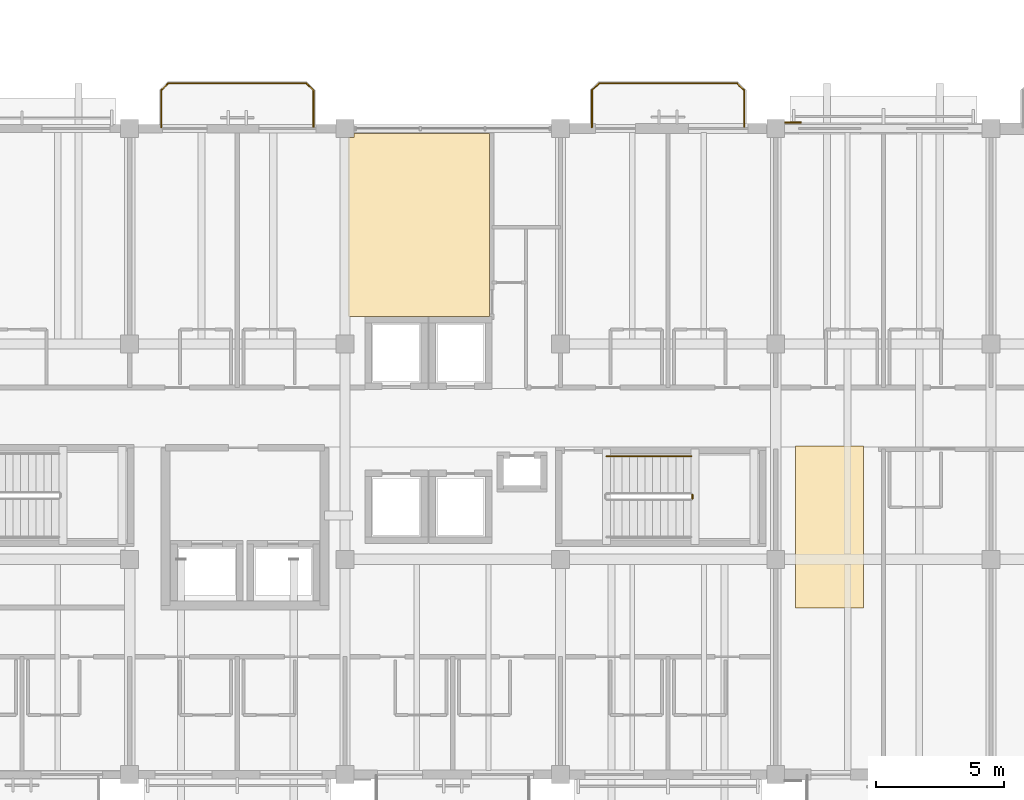
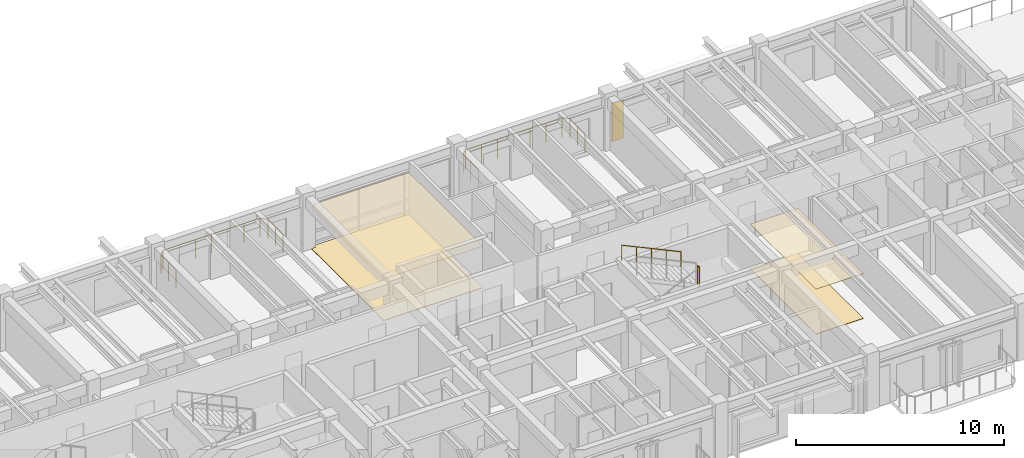
# One storey, part 92 of 93: 5 coverings, 4 railings.
"""IFC4 building model written with IfcOpenShell, lengths in metres."""

from ifc_helpers import new_model, si_unit, direction, frame, origin, origin_2d, place, context, subcontext, project, spatial, polyline, circle, outline, extrude, material, layer, layer_set, type_object, element, save


model = new_model("IFC4")

# Units and contexts
model_context = context("Model", 3, precision=1e-05, world=origin(), true_north=direction((0.0, 1.0)))
body_context = subcontext(model_context, "Body", "Model", "MODEL_VIEW")
ifc_project = project(units=[si_unit("LENGTHUNIT", "METRE"), si_unit("AREAUNIT", "SQUARE_METRE"), si_unit("VOLUMEUNIT", "CUBIC_METRE"), si_unit("PLANEANGLEUNIT", "RADIAN"), si_unit("MASSUNIT", "GRAM", prefix="KILO")], contexts=[model_context])

# Site, building, storey
site_placement = place(None, origin())
site = spatial("IfcSite", under=ifc_project, at=site_placement, CompositionType="ELEMENT")
building_placement = place(site_placement, origin())
building = spatial("IfcBuilding", under=site, at=building_placement, Name="Cumbredor Promenade Congress Hotel", CompositionType="ELEMENT")
storey_placement = place(building_placement, frame((0.0, 0.0, 21.840087890625)))
storey = spatial("IfcBuildingStorey", under=building, at=storey_placement, Name="L06", CompositionType="ELEMENT", Elevation=21.840087890625)

# Coverings
ifc_material_1 = material(Name="Acoustic mineral-fiber and gypsum ceiling")
ifc_layer_1 = layer(ifc_material_1, 0.02197265625, Name="Acoustic mineral-fiber and gypsum ceiling")
ifc_layer_set_1 = layer_set([ifc_layer_1], Name="Acoustic mineral-fiber and gypsum ceiling")
covering_type_1 = type_object("IfcCoveringType", Name="Acoustic Perforated Gypsum Ceiling CLG-02 22mm", PredefinedType="CEILING", material=ifc_layer_set_1)
covering_1_placement = place(storey_placement, frame((0.0, 0.0, 2.448974609375)))
element("IfcCovering", 1, at=covering_1_placement, inside=storey, type_object=covering_type_1, Name="L06 Cordillera Reading Salon Acoustic Ceiling", PredefinedType="CEILING", context=body_context, shape_type="SweptSolid", body=[
    extrude(outline(polyline([(39.239990234375, 117.4150390625), (39.239990234375, 110.280029296875), (33.72998046875, 110.280029296875), (33.72998046875, 117.2451171875), (33.955078125, 117.2451171875), (33.955078125, 117.4150390625), (39.239990234375, 117.4150390625)])), origin(), (0.0, 0.0, 1.0), 0.02197265625),
])
ifc_layer_2 = layer(ifc_material_1, 0.028076171875, Name="Acoustic mineral-fiber and gypsum ceiling")
ifc_layer_set_2 = layer_set([ifc_layer_2], Name="Acoustic mineral-fiber and gypsum ceiling")
covering_type_2 = type_object("IfcCoveringType", Name="Acoustic Perforated Gypsum Ceiling CLG-03 28mm", PredefinedType="CEILING", material=ifc_layer_set_2)
covering_2_placement = place(storey_placement, frame((0.0, 0.0, 2.6298828125)))
element("IfcCovering", 2, at=covering_2_placement, inside=storey, type_object=covering_type_2, Name="L06 East Corridor Connector Acoustic Ceiling", PredefinedType="CEILING", context=body_context, shape_type="SweptSolid", body=[
    extrude(outline(polyline([(53.820068359375, 98.89990234375), (53.820068359375, 105.219970703125), (51.179931640625, 105.219970703125), (51.179931640625, 98.89990234375), (53.820068359375, 98.89990234375)])), origin(), (0.0, 0.0, 1.0), 0.028076171875),
])
ifc_material_2 = material(Name="Precast concrete C40/50", Category="concrete")
ifc_layer_3 = layer(ifc_material_2, 0.044921875, Name="Precast concrete C40/50", Category="concrete")
ifc_layer_set_3 = layer_set([ifc_layer_3], Name="Precast concrete C40/50")
covering_type_3 = type_object("IfcCoveringType", Name="Board-Formed Architectural Cladding Panel 45mm", PredefinedType="CLADDING", material=ifc_layer_set_3)
covering_3_placement = place(storey_placement, origin())
element("IfcCovering", 3, at=covering_3_placement, inside=storey, type_object=covering_type_3, Name="L06 Facade Stone Cladding Pier 216", PredefinedType="CLADDING", context=body_context, shape_type="SweptSolid", body=[
    extrude(outline(polyline([(50.7509765625, 117.8125), (51.40087890625, 117.8125), (51.40087890625, 117.857421875), (50.7509765625, 117.857421875), (50.7509765625, 117.8125)])), origin(), (0.0, 0.0, 1.0), 2.25),
])

# Railing
ifc_material_3 = material(Name="Brushed stainless steel", Category="steel")
railing_type_1 = type_object("IfcRailingType", Name="Interior Void & Stair Guardrail GR-1100", PredefinedType="GUARDRAIL", material=ifc_material_3)
railing_1_placement = place(storey_placement, frame((47.14990234375, 103.169921875, 1.679931640625)))
element("IfcRailing", 4, at=railing_1_placement, inside=storey, type_object=railing_type_1, Name="L06 ST-03 stair guard 2", PredefinedType="GUARDRAIL", context=body_context, shape_type="SweptSolid", body=[
    extrude(circle(Radius=0.02392578125, at=origin_2d()), frame((0.0, 0.0, 1.09619140625), z_axis=(0.0, 1.0, 0.0), x_axis=(-1.0, 0.0, 0.0)), (0.0, 0.0, 1.0), 0.150146484375),
    extrude(circle(Radius=0.02099609375, at=origin_2d()), origin(), (0.0, 0.0, 1.0), 1.072021484375),
    extrude(circle(Radius=0.02099609375, at=origin_2d()), frame((0.0, 0.150146484375, 0.0)), (0.0, 0.0, 1.0), 1.072021484375),
])

# Coverings
ifc_material_4 = material(Name="Porcelain stoneware tile", Category="masonry")
ifc_layer_4 = layer(ifc_material_4, 0.02001953125, Name="Porcelain stoneware tile", Category="masonry")
ifc_layer_set_4 = layer_set([ifc_layer_4], Name="Porcelain stoneware tile")
covering_type_4 = type_object("IfcCoveringType", Name="Porcelain Stoneware Flooring FLR-01 20mm", PredefinedType="FLOORING", material=ifc_layer_set_4)
covering_4_placement = place(storey_placement, origin())
element("IfcCovering", 5, at=covering_4_placement, inside=storey, type_object=covering_type_4, Name="L06 East Corridor Connector Porcelain Flooring", PredefinedType="FLOORING", context=body_context, shape_type="SweptSolid", body=[
    extrude(outline(polyline([(53.820068359375, 98.89990234375), (53.820068359375, 105.219970703125), (51.179931640625, 105.219970703125), (51.179931640625, 98.89990234375), (53.820068359375, 98.89990234375)])), origin(), (0.0, 0.0, 1.0), 0.02001953125),
])
ifc_layer_5 = layer(ifc_material_4, 0.030029296875, Name="Porcelain stoneware tile", Category="masonry")
ifc_layer_set_5 = layer_set([ifc_layer_5], Name="Porcelain stoneware tile")
covering_type_5 = type_object("IfcCoveringType", Name="Porcelain Stoneware Flooring FLR-03 30mm", PredefinedType="FLOORING", material=ifc_layer_set_5)
covering_5_placement = place(storey_placement, origin())
element("IfcCovering", 6, at=covering_5_placement, inside=storey, type_object=covering_type_5, Name="L06 Cordillera Reading Salon Porcelain Flooring", PredefinedType="FLOORING", context=body_context, shape_type="SweptSolid", body=[
    extrude(outline(polyline([(39.239990234375, 117.4150390625), (39.239990234375, 110.280029296875), (33.72998046875, 110.280029296875), (33.72998046875, 117.2451171875), (33.955078125, 117.2451171875), (33.955078125, 117.4150390625), (39.239990234375, 117.4150390625)])), origin(), (0.0, 0.0, 1.0), 0.030029296875),
])

# Railings
railing_type_2 = type_object("IfcRailingType", Name="Sky Garden Glass-and-Steel Balustrade BAL-1150", PredefinedType="BALUSTRADE", material=ifc_material_3)
railing_2_placement = place(storey_placement, frame((43.22998046875, 117.64990234375, 0.0)))
element("IfcRailing", 7, at=railing_2_placement, inside=storey, type_object=railing_type_2, Name="L06 Veranda Balcony Balustrade 036", PredefinedType="BALUSTRADE", context=body_context, shape_type="SweptSolid", body=[
    extrude(circle(Radius=0.02392578125, at=origin_2d()), frame((0.0, 0.0, 1.1259765625), z_axis=(0.0, 1.0, 0.0), x_axis=(-1.0, 0.0, 0.0)), (0.0, 0.0, 1.0), 1.440185546875),
    extrude(circle(Radius=0.02392578125, at=origin_2d()), frame((0.0, 1.440185546875, 1.1259765625), z_axis=(0.707106781187, 0.707106781187, 0.0), x_axis=(-0.707106781187, 0.707106781187, 0.0)), (0.0, 0.0, 1.0), 0.39599609375),
    extrude(circle(Radius=0.02392578125, at=origin_2d()), frame((0.280029296875, 1.72021484375, 1.1259765625), z_axis=(1.0, 0.0, 0.0), x_axis=(0.0, 1.0, 0.0)), (0.0, 0.0, 1.0), 5.3798828125),
    extrude(circle(Radius=0.02392578125, at=origin_2d()), frame((5.659912109375, 1.72021484375, 1.1259765625), z_axis=(0.707106781187, -0.707106781187, 0.0), x_axis=(0.707106781187, 0.707106781187, 0.0)), (0.0, 0.0, 1.0), 0.39599609375),
    extrude(circle(Radius=0.02392578125, at=origin_2d()), frame((5.93994140625, 1.440185546875, 1.1259765625), z_axis=(0.0, -1.0, 0.0), x_axis=(1.0, 0.0, 0.0)), (0.0, 0.0, 1.0), 1.440185546875),
    extrude(circle(Radius=0.02099609375, at=origin_2d()), origin(), (0.0, 0.0, 1.0), 1.101806640625),
    extrude(circle(Radius=0.02099609375, at=origin_2d()), frame((0.0, 0.72021484375, 0.0)), (0.0, 0.0, 1.0), 1.101806640625),
    extrude(circle(Radius=0.02099609375, at=origin_2d()), frame((0.0, 1.440185546875, 0.0)), (0.0, 0.0, 1.0), 1.101806640625),
    extrude(circle(Radius=0.02099609375, at=origin_2d()), frame((0.280029296875, 1.72021484375, 0.0)), (0.0, 0.0, 1.0), 1.101806640625),
    extrude(circle(Radius=0.02099609375, at=origin_2d()), frame((1.1767578125, 1.72021484375, 0.0)), (0.0, 0.0, 1.0), 1.101806640625),
    extrude(circle(Radius=0.02099609375, at=origin_2d()), frame((2.0732421875, 1.72021484375, 0.0)), (0.0, 0.0, 1.0), 1.101806640625),
    extrude(circle(Radius=0.02099609375, at=origin_2d()), frame((2.969970703125, 1.72021484375, 0.0)), (0.0, 0.0, 1.0), 1.101806640625),
    extrude(circle(Radius=0.02099609375, at=origin_2d()), frame((3.86669921875, 1.72021484375, 0.0)), (0.0, 0.0, 1.0), 1.101806640625),
    extrude(circle(Radius=0.02099609375, at=origin_2d()), frame((4.76318359375, 1.72021484375, 0.0)), (0.0, 0.0, 1.0), 1.101806640625),
    extrude(circle(Radius=0.02099609375, at=origin_2d()), frame((5.659912109375, 1.72021484375, 0.0)), (0.0, 0.0, 1.0), 1.101806640625),
    extrude(circle(Radius=0.02099609375, at=origin_2d()), frame((5.93994140625, 1.440185546875, 0.0)), (0.0, 0.0, 1.0), 1.101806640625),
    extrude(circle(Radius=0.02099609375, at=origin_2d()), frame((5.93994140625, 0.72021484375, 0.0)), (0.0, 0.0, 1.0), 1.101806640625),
    extrude(circle(Radius=0.02099609375, at=origin_2d()), frame((5.93994140625, 0.0, 0.0)), (0.0, 0.0, 1.0), 1.101806640625),
])
railing_type_3 = type_object("IfcRailingType", Name="Stair Pitch Handrail HR-900", PredefinedType="HANDRAIL", material=ifc_material_3)
railing_3_placement = place(storey_placement, frame((47.10009765625, 104.820068359375, 1.81982421875)))
element("IfcRailing", 8, at=railing_3_placement, inside=storey, type_object=railing_type_3, Name="L06 ST-03 stair handrail 2", PredefinedType="HANDRAIL", context=body_context, shape_type="SweptSolid", body=[
    extrude(circle(Radius=0.02392578125, at=origin_2d()), frame((0.0, 0.0, 0.8759765625), z_axis=(-0.906181427284, 0.0, 0.422889135408), x_axis=(0.0, -1.0, 0.0)), (0.0, 0.0, 1.0), 3.6416015625),
    extrude(circle(Radius=0.02099609375, at=origin_2d()), origin(), (0.0, 0.0, 1.0), 0.851806640625),
    extrude(circle(Radius=0.02099609375, at=origin_2d()), frame((-0.824951171875, 0.0, 0.385009765625)), (0.0, 0.0, 1.0), 0.851806640625),
    extrude(circle(Radius=0.02099609375, at=origin_2d()), frame((-1.64990234375, 0.0, 0.77001953125)), (0.0, 0.0, 1.0), 0.851806640625),
    extrude(circle(Radius=0.02099609375, at=origin_2d()), frame((-2.47509765625, 0.0, 1.155029296875)), (0.0, 0.0, 1.0), 0.851806640625),
    extrude(circle(Radius=0.02099609375, at=origin_2d()), frame((-3.300048828125, 0.0, 1.5400390625)), (0.0, 0.0, 1.0), 0.851806640625),
])
railing_type_4 = type_object("IfcRailingType", Name="Terrace Perimeter Balustrade BAL-1120", PredefinedType="BALUSTRADE", material=ifc_material_3)
railing_4_placement = place(storey_placement, frame((26.429931640625, 117.64990234375, 0.0)))
element("IfcRailing", 9, at=railing_4_placement, inside=storey, type_object=railing_type_4, Name="L06 Veranda Balcony Balustrade 035", PredefinedType="BALUSTRADE", context=body_context, shape_type="SweptSolid", body=[
    extrude(circle(Radius=0.02392578125, at=origin_2d()), frame((0.0, 0.0, 1.09619140625), z_axis=(0.0, 1.0, 0.0), x_axis=(-1.0, 0.0, 0.0)), (0.0, 0.0, 1.0), 1.440185546875),
    extrude(circle(Radius=0.02392578125, at=origin_2d()), frame((0.0, 1.440185546875, 1.09619140625), z_axis=(0.707106781187, 0.707106781187, 0.0), x_axis=(-0.707106781187, 0.707106781187, 0.0)), (0.0, 0.0, 1.0), 0.39599609375),
    extrude(circle(Radius=0.02392578125, at=origin_2d()), frame((0.280029296875, 1.72021484375, 1.09619140625), z_axis=(1.0, 0.0, 0.0), x_axis=(0.0, 1.0, 0.0)), (0.0, 0.0, 1.0), 5.380126953125),
    extrude(circle(Radius=0.02392578125, at=origin_2d()), frame((5.66015625, 1.72021484375, 1.09619140625), z_axis=(0.707106781187, -0.707106781187, 0.0), x_axis=(0.707106781187, 0.707106781187, 0.0)), (0.0, 0.0, 1.0), 0.39599609375),
    extrude(circle(Radius=0.02392578125, at=origin_2d()), frame((5.940185546875, 1.440185546875, 1.09619140625), z_axis=(0.0, -1.0, 0.0), x_axis=(1.0, 0.0, 0.0)), (0.0, 0.0, 1.0), 1.440185546875),
    extrude(circle(Radius=0.02099609375, at=origin_2d()), origin(), (0.0, 0.0, 1.0), 1.072021484375),
    extrude(circle(Radius=0.02099609375, at=origin_2d()), frame((0.0, 0.72021484375, 0.0)), (0.0, 0.0, 1.0), 1.072021484375),
    extrude(circle(Radius=0.02099609375, at=origin_2d()), frame((0.0, 1.440185546875, 0.0)), (0.0, 0.0, 1.0), 1.072021484375),
    extrude(circle(Radius=0.02099609375, at=origin_2d()), frame((0.280029296875, 1.72021484375, 0.0)), (0.0, 0.0, 1.0), 1.072021484375),
    extrude(circle(Radius=0.02099609375, at=origin_2d()), frame((1.1767578125, 1.72021484375, 0.0)), (0.0, 0.0, 1.0), 1.072021484375),
    extrude(circle(Radius=0.02099609375, at=origin_2d()), frame((2.073486328125, 1.72021484375, 0.0)), (0.0, 0.0, 1.0), 1.072021484375),
    extrude(circle(Radius=0.02099609375, at=origin_2d()), frame((2.97021484375, 1.72021484375, 0.0)), (0.0, 0.0, 1.0), 1.072021484375),
    extrude(circle(Radius=0.02099609375, at=origin_2d()), frame((3.86669921875, 1.72021484375, 0.0)), (0.0, 0.0, 1.0), 1.072021484375),
    extrude(circle(Radius=0.02099609375, at=origin_2d()), frame((4.763427734375, 1.72021484375, 0.0)), (0.0, 0.0, 1.0), 1.072021484375),
    extrude(circle(Radius=0.02099609375, at=origin_2d()), frame((5.66015625, 1.72021484375, 0.0)), (0.0, 0.0, 1.0), 1.072021484375),
    extrude(circle(Radius=0.02099609375, at=origin_2d()), frame((5.940185546875, 1.440185546875, 0.0)), (0.0, 0.0, 1.0), 1.072021484375),
    extrude(circle(Radius=0.02099609375, at=origin_2d()), frame((5.940185546875, 0.72021484375, 0.0)), (0.0, 0.0, 1.0), 1.072021484375),
    extrude(circle(Radius=0.02099609375, at=origin_2d()), frame((5.940185546875, 0.0, 0.0)), (0.0, 0.0, 1.0), 1.072021484375),
])

save(model, "model.ifc")
